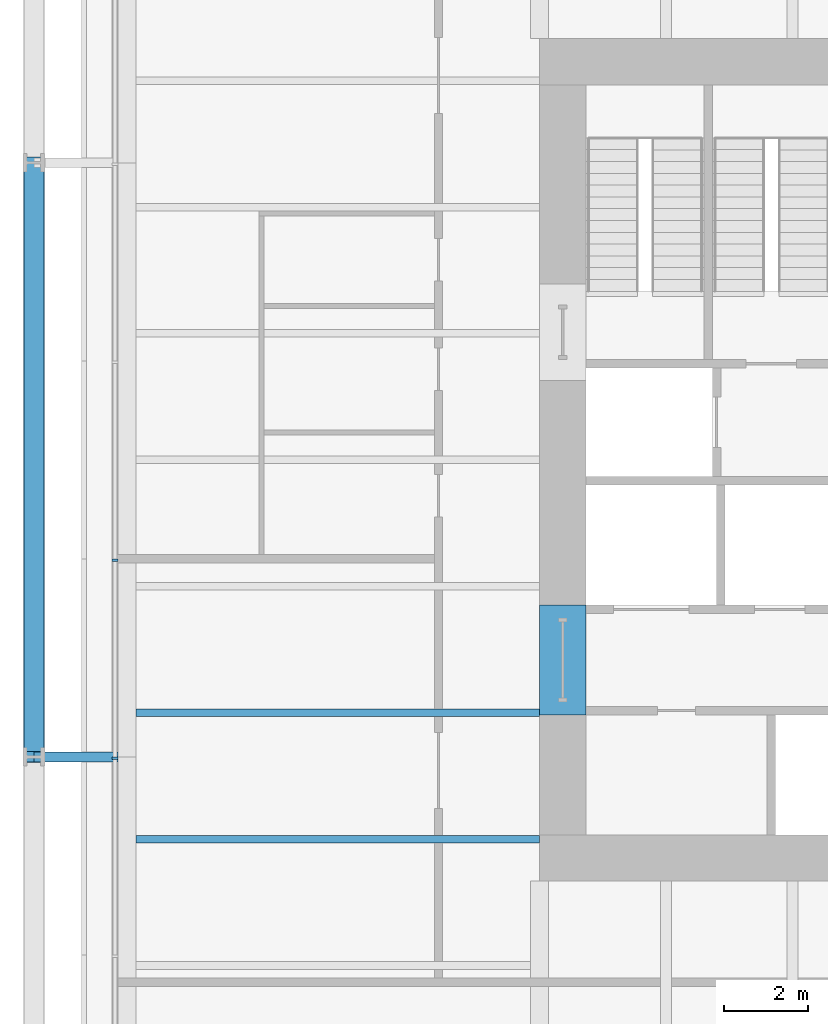
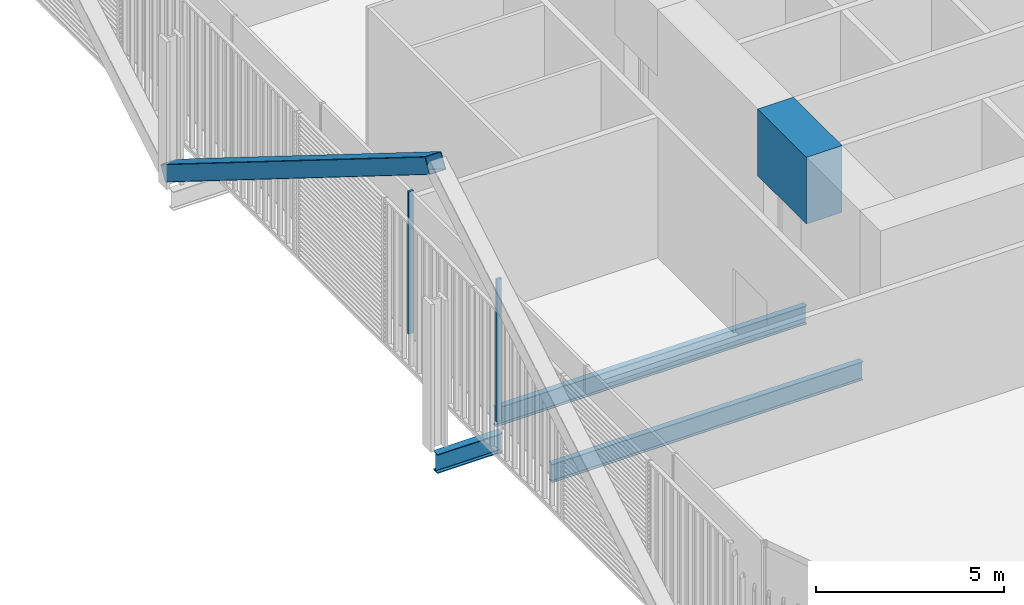
# One storey, part 5 of 22: 4 beams, 3 members, 1 element without a shape of its own.
"""IFC4 building model written with IfcOpenShell, lengths in metres."""

from ifc_helpers import new_model, si_unit, direction, frame, origin, origin_2d, place, context, subcontext, project, spatial, rectangle, hollow_rectangle, i_section, extrude, material, layer, layer_set, material_profile, profile_set, type_object, element, aggregate, save


model = new_model("IFC4")

# Units and contexts
model_context = context("Model", 3, precision=1e-05, world=origin(), true_north=direction((0.0, 1.0)))
body_context = subcontext(model_context, "Body", "Model", "MODEL_VIEW")
ifc_project = project(units=[si_unit("LENGTHUNIT", "METRE"), si_unit("AREAUNIT", "SQUARE_METRE"), si_unit("VOLUMEUNIT", "CUBIC_METRE"), si_unit("PLANEANGLEUNIT", "RADIAN"), si_unit("MASSUNIT", "GRAM", prefix="KILO")], contexts=[model_context])

# Site, building, storey
site_placement = place(None, origin())
site = spatial("IfcSite", under=ifc_project, at=site_placement, CompositionType="ELEMENT")
building_placement = place(site_placement, origin())
building = spatial("IfcBuilding", under=site, at=building_placement, Name="Millrace Tower", CompositionType="ELEMENT")
storey_placement = place(building_placement, frame((0.0, 0.0, 54.5)))
storey = spatial("IfcBuildingStorey", under=building, at=storey_placement, Name="L12", CompositionType="ELEMENT", Elevation=54.5)

# Curtain wall, members
ifc_material_1 = material(Name="Aluminium and glass", Category="aluminium")
ifc_layer = layer(ifc_material_1, 0.14990234375)
ifc_layer_set = layer_set([ifc_layer], Name="Aluminium and glass")
curtain_wall_type = type_object("IfcCurtainWallType", Name="CW-2 data hall insulated curtain wall", PredefinedType="NOTDEFINED", material=ifc_layer_set)
curtain_wall_placement = place(storey_placement, origin())
curtain_wall = element("IfcCurtainWall", 1, at=curtain_wall_placement, inside=storey, type_object=curtain_wall_type, Name="Curtain wall A-F08 L12", PredefinedType="NOTDEFINED")
ifc_material_2 = material(Name="Aluminium", Category="aluminium")
ifc_material_profile_1 = material_profile(ifc_material_2, rectangle(XDim=0.06494140625, YDim=0.14990234375, at=origin_2d()))
ifc_profile_set_1 = profile_set([ifc_material_profile_1], Name="Aluminium")
member_type_1 = type_object("IfcMemberType", Name="CW-2 data hall insulated curtain wall mullion", PredefinedType="MULLION", material=ifc_profile_set_1)
member_1_placement = place(storey_placement, frame((-25.074951171875, -2.382568359375, 0.159912109375), z_axis=(0.0, 0.0, 1.0), x_axis=(0.0, -1.0, 0.0)))
member_1 = element("IfcMember", 2, at=member_1_placement, type_object=member_type_1, Name="CW2 mullion A-F08.6", PredefinedType="MULLION", context=body_context, shape_type="SweptSolid", body=[
    extrude(rectangle(XDim=0.06494140625, YDim=0.14990234375, at=origin_2d()), origin(), (0.0, 0.0, 1.0), 4.64013671875),
])
member_2_placement = place(storey_placement, frame((-25.074951171875, -7.08251953125, 0.159912109375), z_axis=(0.0, 0.0, 1.0), x_axis=(0.0, -1.0, 0.0)))
member_2 = element("IfcMember", 3, at=member_2_placement, type_object=member_type_1, Name="CW2 mullion A-F08.7", PredefinedType="MULLION", context=body_context, shape_type="SweptSolid", body=[
    extrude(rectangle(XDim=0.06494140625, YDim=0.14990234375, at=origin_2d()), origin(), (0.0, 0.0, 1.0), 4.64013671875),
])
aggregate(curtain_wall, [member_1, member_2])

# Beam
ifc_material_3 = material(Name="Concrete C80", Category="concrete")
ifc_material_profile_2 = material_profile(ifc_material_3, rectangle(XDim=1.10009765625, YDim=2.175048828125, at=origin_2d()))
ifc_profile_set_2 = profile_set([ifc_material_profile_2], Name="Concrete C80")
beam_type_1 = type_object("IfcBeamType", Name="Coupling beam 1100 x 2175 Concrete C80, 2000 opening", PredefinedType="BEAM", material=ifc_profile_set_2)
beam_1_placement = place(storey_placement, frame((-14.449951171875, -6.050048828125, 3.487548828125), z_axis=(0.0, 1.0, 0.0), x_axis=(-1.0, 0.0, 0.0)))
element("IfcBeam", 4, at=beam_1_placement, inside=storey, type_object=beam_type_1, Name="Coupling beam W L12", PredefinedType="BEAM", context=body_context, shape_type="SweptSolid", body=[
    extrude(rectangle(XDim=1.10009765625, YDim=2.175048828125, at=origin_2d()), origin(), (0.0, 0.0, 1.0), 2.60009765625),
])

# Member
ifc_material_4 = material(Name="Steel ASTM A500 Grade C", Category="steel")
ifc_material_profile_3 = material_profile(ifc_material_4, hollow_rectangle(XDim=0.508056640625, YDim=0.508056640625, WallThickness=0.01904296875, InnerFilletRadius=0.009521484375, OuterFilletRadius=0.028564453125, at=origin_2d()))
ifc_profile_set_3 = profile_set([ifc_material_profile_3], Name="Steel ASTM A500 Grade C")
member_type_2 = type_object("IfcMemberType", Name="Exoskeleton brace HSS20x20x3/4", PredefinedType="BRACE", material=ifc_profile_set_3)
member_3_placement = place(storey_placement, frame((-27.0, 7.050048828125, 0.39990234375), z_axis=(0.0, -0.848336468551, 0.529457492276), x_axis=(1.0, 0.0, 0.0)))
element("IfcMember", 5, at=member_3_placement, inside=storey, type_object=member_type_2, Name="BRC-A-L12-15", PredefinedType="BRACE", context=body_context, shape_type="SweptSolid", body=[
    extrude(hollow_rectangle(XDim=0.508056640625, YDim=0.508056640625, WallThickness=0.01904296875, InnerFilletRadius=0.009521484375, OuterFilletRadius=0.028564453125, at=origin_2d()), origin(), (0.0, 0.0, 1.0), 16.620849609375),
])

# Beams
ifc_material_5 = material(Name="Steel ASTM A992 Grade 50", Category="steel")
ifc_material_profile_4 = material_profile(ifc_material_5, i_section(OverallWidth=0.1787109375, OverallDepth=0.60205078125, WebThickness=0.010986328125, FlangeThickness=0.014892578125, FilletRadius=0.0126953125, at=origin_2d()))
ifc_profile_set_4 = profile_set([ifc_material_profile_4], Name="Steel ASTM A992 Grade 50")
beam_type_2 = type_object("IfcBeamType", Name="Floor beam W24x62", PredefinedType="JOIST", material=ifc_profile_set_4)
for number, where, z_axis, x_axis, name in (
    (6, (-24.578369140625, -9.0, -0.52587890625), (1.0, 0.0, 0.0), (0.0, 1.0, 0.0), "BM-A-L12-S1-S012"),
    (7, (-24.578369140625, -6.0, -0.52587890625), (1.0, 0.0, 0.0), (0.0, 1.0, 0.0), "BM-A-L12-S1-S015"),
):
    element("IfcBeam", number, at=place(storey_placement, frame(where, z_axis=z_axis, x_axis=x_axis)), inside=storey, type_object=beam_type_2, Name=name, PredefinedType="JOIST", context=body_context, shape_type="SweptSolid", body=[
        extrude(i_section(OverallWidth=0.1787109375, OverallDepth=0.60205078125, WebThickness=0.010986328125, FlangeThickness=0.014892578125, FilletRadius=0.0126953125, at=origin_2d()), origin(), (0.0, 0.0, 1.0), 9.578369140625),
    ])
ifc_material_6 = material(Name="Steel ASTM A992 Grade 50", Category="steel")
ifc_material_profile_5 = material_profile(ifc_material_6, i_section(OverallWidth=0.23046875, OverallDepth=0.6171875, WebThickness=0.01318359375, FlangeThickness=0.022216796875, FilletRadius=0.012939453125, at=origin_2d()))
ifc_profile_set_5 = profile_set([ifc_material_profile_5], Name="Steel ASTM A992 Grade 50")
beam_type_3 = type_object("IfcBeamType", Name="Link beam W24x94", PredefinedType="BEAM", material=ifc_profile_set_5)
beam_2_placement = place(storey_placement, frame((-25.0, -7.050048828125, -0.53369140625), z_axis=(-1.0, 0.0, 0.0), x_axis=(0.0, -1.0, 0.0)))
element("IfcBeam", 8, at=beam_2_placement, inside=storey, type_object=beam_type_3, Name="LNK-A-L12-S1-02", PredefinedType="BEAM", context=body_context, shape_type="SweptSolid", body=[
    extrude(i_section(OverallWidth=0.23046875, OverallDepth=0.6171875, WebThickness=0.01318359375, FlangeThickness=0.022216796875, FilletRadius=0.012939453125, at=origin_2d()), origin(), (0.0, 0.0, 1.0), 2.0),
])

save(model, "model.ifc")
